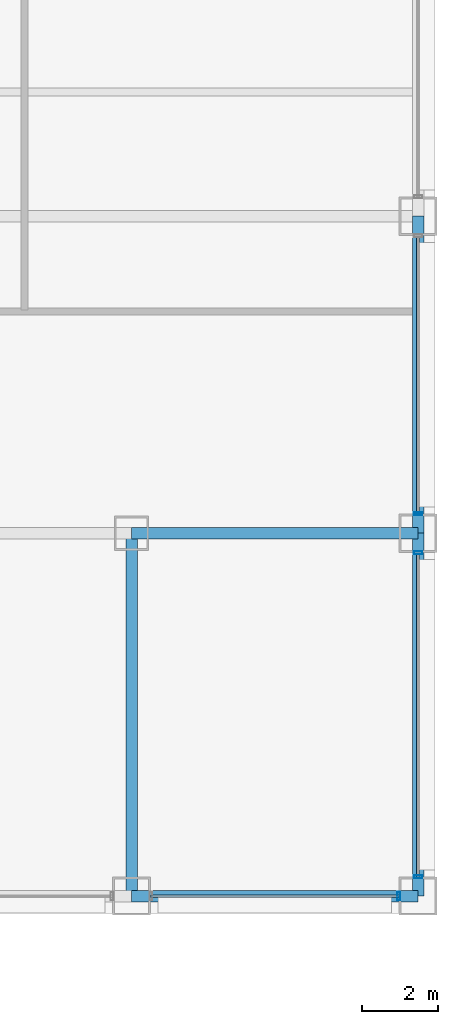
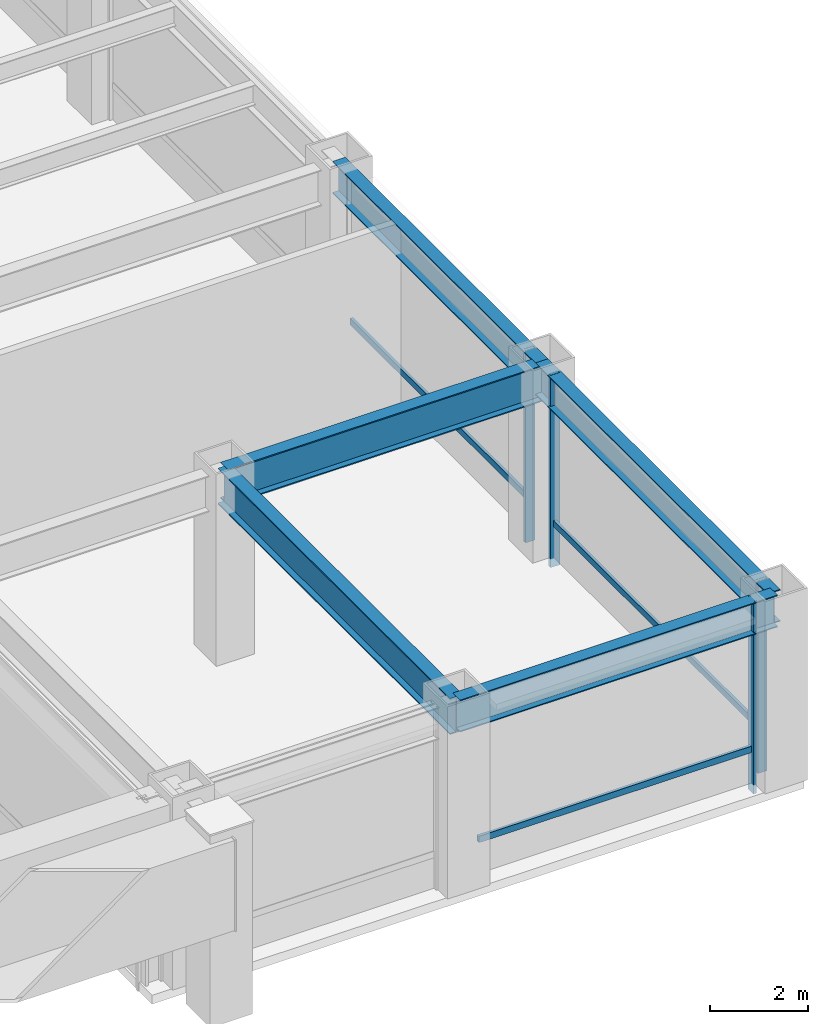
# One storey, part 11 of 37: 7 members, 5 beams, 3 elements without a shape of their own.
"""IFC4 building model written with IfcOpenShell, lengths in metres."""

from ifc_helpers import new_model, si_unit, direction, frame, origin, origin_2d, place, context, subcontext, project, spatial, hollow_rectangle, i_section, extrude, material, layer, layer_set, material_profile, profile_set, type_object, element, aggregate, save


model = new_model("IFC4")

# Units and contexts
model_context = context("Model", 3, precision=1e-05, world=origin(), true_north=direction((0.0, 1.0)))
body_context = subcontext(model_context, "Body", "Model", "MODEL_VIEW")
ifc_project = project(units=[si_unit("LENGTHUNIT", "METRE"), si_unit("AREAUNIT", "SQUARE_METRE"), si_unit("VOLUMEUNIT", "CUBIC_METRE"), si_unit("PLANEANGLEUNIT", "RADIAN"), si_unit("MASSUNIT", "GRAM", prefix="KILO")], contexts=[model_context])

# Site, building, storey
site_placement = place(None, origin())
site = spatial("IfcSite", under=ifc_project, at=site_placement, CompositionType="ELEMENT")
building_placement = place(site_placement, origin())
building = spatial("IfcBuilding", under=site, at=building_placement, Name="Brelmoor Portico Tower", CompositionType="ELEMENT")
storey_placement = place(building_placement, frame((0.0, 0.0, 14.39990234375)))
storey = spatial("IfcBuildingStorey", under=building, at=storey_placement, Name="L03", CompositionType="ELEMENT", Elevation=14.39990234375)

# Beams
ifc_material_1 = material(Name="Steel Q355B", Category="steel")
ifc_material_profile_1 = material_profile(ifc_material_1, i_section(OverallWidth=0.300048828125, OverallDepth=0.89990234375, WebThickness=0.01611328125, FlangeThickness=0.028076171875, at=origin_2d()), Name="HN 900x300x16x28")
ifc_profile_set_1 = profile_set([ifc_material_profile_1], Name="Steel Q355B")
beam_type_1 = type_object("IfcBeamType", Name="BM-PG-900", PredefinedType="BEAM", material=ifc_profile_set_1)
beam_1_placement = place(storey_placement, frame((21.050048828125, -27.550048828125, 4.130126953125), z_axis=(0.0, 1.0, 0.0), x_axis=(-1.0, 0.0, 0.0)))
element("IfcBeam", 1, at=beam_1_placement, inside=storey, type_object=beam_type_1, Name="L03 Primary Floor Girder PG-19", PredefinedType="BEAM", context=body_context, shape_type="SweptSolid", body=[
    extrude(i_section(OverallWidth=0.300048828125, OverallDepth=0.89990234375, WebThickness=0.01611328125, FlangeThickness=0.028076171875, at=origin_2d()), origin(), (0.0, 0.0, 1.0), 9.5),
])
beam_2_placement = place(storey_placement, frame((21.050048828125, -18.050048828125, 4.130126953125), z_axis=(1.0, 0.0, 0.0), x_axis=(0.0, 1.0, 0.0)))
element("IfcBeam", 2, at=beam_2_placement, inside=storey, type_object=beam_type_1, Name="L03 Primary Floor Girder PG-24", PredefinedType="BEAM", context=body_context, shape_type="SweptSolid", body=[
    extrude(i_section(OverallWidth=0.300048828125, OverallDepth=0.89990234375, WebThickness=0.01611328125, FlangeThickness=0.028076171875, at=origin_2d()), origin(), (0.0, 0.0, 1.0), 7.5),
])
ifc_material_profile_2 = material_profile(ifc_material_1, i_section(OverallWidth=0.300048828125, OverallDepth=0.800048828125, WebThickness=0.013916015625, FlangeThickness=0.02587890625, at=origin_2d()), Name="HN 800x300x14x26")
ifc_profile_set_2 = profile_set([ifc_material_profile_2], Name="Steel Q355B")
beam_type_2 = type_object("IfcBeamType", Name="BM-SP-800", PredefinedType="SPANDREL", material=ifc_profile_set_2)
beam_3_placement = place(storey_placement, frame((21.050048828125, -27.550048828125, 4.18017578125), z_axis=(1.0, 0.0, 0.0), x_axis=(0.0, 1.0, 0.0)))
element("IfcBeam", 3, at=beam_3_placement, inside=storey, type_object=beam_type_2, Name="L03 Perimeter Spandrel Beam SP-05", PredefinedType="SPANDREL", context=body_context, shape_type="SweptSolid", body=[
    extrude(i_section(OverallWidth=0.300048828125, OverallDepth=0.800048828125, WebThickness=0.013916015625, FlangeThickness=0.02587890625, at=origin_2d()), origin(), (0.0, 0.0, 1.0), 7.5),
])
beam_4_placement = place(storey_placement, frame((28.550048828125, -27.550048828125, 4.18017578125), z_axis=(0.0, 1.0, 0.0), x_axis=(-1.0, 0.0, 0.0)))
element("IfcBeam", 4, at=beam_4_placement, inside=storey, type_object=beam_type_2, Name="L03 Perimeter Spandrel Beam SP-17", PredefinedType="SPANDREL", context=body_context, shape_type="SweptSolid", body=[
    extrude(i_section(OverallWidth=0.300048828125, OverallDepth=0.800048828125, WebThickness=0.013916015625, FlangeThickness=0.02587890625, at=origin_2d()), origin(), (0.0, 0.0, 1.0), 9.5),
])
beam_5_placement = place(storey_placement, frame((28.550048828125, -18.050048828125, 4.18017578125), z_axis=(0.0, 1.0, 0.0), x_axis=(-1.0, 0.0, 0.0)))
element("IfcBeam", 5, at=beam_5_placement, inside=storey, type_object=beam_type_2, Name="L03 Perimeter Spandrel Beam SP-18", PredefinedType="SPANDREL", context=body_context, shape_type="SweptSolid", body=[
    extrude(i_section(OverallWidth=0.300048828125, OverallDepth=0.800048828125, WebThickness=0.013916015625, FlangeThickness=0.02587890625, at=origin_2d()), origin(), (0.0, 0.0, 1.0), 8.300048828125),
])

# Curtain wall, member
ifc_material_2 = material(Name="Anodised Aluminium Alloy 6063-T6", Category="aluminium")
ifc_layer = layer(ifc_material_2, 0.179931640625)
ifc_layer_set = layer_set([ifc_layer], Name="Anodised Aluminium Alloy 6063-T6")
curtain_wall_type = type_object("IfcCurtainWallType", Name="CW-PODIUM-ARCH", PredefinedType="NOTDEFINED", material=ifc_layer_set)
curtain_wall_1_placement = place(storey_placement, origin())
curtain_wall_1 = element("IfcCurtainWall", 6, at=curtain_wall_1_placement, inside=storey, type_object=curtain_wall_type, Name="L03 Curtain Wall CW-L03-02-3", PredefinedType="NOTDEFINED")
ifc_material_profile_3 = material_profile(ifc_material_2, hollow_rectangle(XDim=0.074951171875, YDim=0.219970703125, WallThickness=0.0048828125, at=origin_2d()), Name="ALU MULLION 75x220")
ifc_profile_set_3 = profile_set([ifc_material_profile_3], Name="Anodised Aluminium Alloy 6063-T6")
member_type_1 = type_object("IfcMemberType", Name="MB-CW-MULL-220", PredefinedType="MULLION", material=ifc_profile_set_3)
member_1_placement = place(storey_placement, frame((28.0400390625, -27.550048828125, -0.219970703125), z_axis=(0.0, 0.0, 1.0), x_axis=(1.0, 0.0, 0.0)))
member_1 = element("IfcMember", 7, at=member_1_placement, type_object=member_type_1, Name="CW-L03-02-3 Mullion 01", PredefinedType="MULLION", context=body_context, shape_type="SweptSolid", body=[
    extrude(hollow_rectangle(XDim=0.074951171875, YDim=0.219970703125, WallThickness=0.0048828125, at=origin_2d()), origin(), (0.0, 0.0, 1.0), 4.800048828125),
])

# Curtain wall, members
curtain_wall_2_placement = place(storey_placement, origin())
curtain_wall_2 = element("IfcCurtainWall", 8, at=curtain_wall_2_placement, inside=storey, type_object=curtain_wall_type, Name="L03 Curtain Wall CW-L03-12-1", PredefinedType="NOTDEFINED")
member_2_placement = place(storey_placement, frame((28.550048828125, -27.0400390625, -0.219970703125), z_axis=(0.0, 0.0, 1.0), x_axis=(0.0, 1.0, 0.0)))
member_2 = element("IfcMember", 9, at=member_2_placement, type_object=member_type_1, Name="CW-L03-12-1 Mullion 00", PredefinedType="MULLION", context=body_context, shape_type="SweptSolid", body=[
    extrude(hollow_rectangle(XDim=0.074951171875, YDim=0.219970703125, WallThickness=0.0048828125, at=origin_2d()), origin(), (0.0, 0.0, 1.0), 4.800048828125),
])
member_3_placement = place(storey_placement, frame((28.550048828125, -18.56005859375, -0.219970703125), z_axis=(0.0, 0.0, 1.0), x_axis=(0.0, 1.0, 0.0)))
member_3 = element("IfcMember", 10, at=member_3_placement, type_object=member_type_1, Name="CW-L03-12-1 Mullion 01", PredefinedType="MULLION", context=body_context, shape_type="SweptSolid", body=[
    extrude(hollow_rectangle(XDim=0.074951171875, YDim=0.219970703125, WallThickness=0.0048828125, at=origin_2d()), origin(), (0.0, 0.0, 1.0), 4.800048828125),
])

# Curtain wall, member
curtain_wall_3_placement = place(storey_placement, origin())
curtain_wall_3 = element("IfcCurtainWall", 11, at=curtain_wall_3_placement, inside=storey, type_object=curtain_wall_type, Name="L03 Curtain Wall CW-L03-12-2", PredefinedType="NOTDEFINED")
member_4_placement = place(storey_placement, frame((28.550048828125, -17.5400390625, -0.219970703125), z_axis=(0.0, 0.0, 1.0), x_axis=(0.0, 1.0, 0.0)))
member_4 = element("IfcMember", 12, at=member_4_placement, type_object=member_type_1, Name="CW-L03-12-2 Mullion 00", PredefinedType="MULLION", context=body_context, shape_type="SweptSolid", body=[
    extrude(hollow_rectangle(XDim=0.074951171875, YDim=0.219970703125, WallThickness=0.0048828125, at=origin_2d()), origin(), (0.0, 0.0, 1.0), 4.800048828125),
])

# Member
ifc_material_profile_4 = material_profile(ifc_material_2, hollow_rectangle(XDim=0.070068359375, YDim=0.159912109375, WallThickness=0.00390625, at=origin_2d()), Name="ALU TRANSOM 70x160")
ifc_profile_set_4 = profile_set([ifc_material_profile_4], Name="Anodised Aluminium Alloy 6063-T6")
member_type_2 = type_object("IfcMemberType", Name="MB-CW-TRAN-160", PredefinedType="USERDEFINED", material=ifc_profile_set_4)
member_5_placement = place(storey_placement, frame((21.56005859375, -27.550048828125, 0.85009765625), z_axis=(1.0, 0.0, 0.0), x_axis=(0.0, 1.0, 0.0)))
member_5 = element("IfcMember", 13, at=member_5_placement, type_object=member_type_2, Name="CW-L03-02-3 Transom 1-00", ObjectType="TRANSOM", PredefinedType="USERDEFINED", context=body_context, shape_type="SweptSolid", body=[
    extrude(hollow_rectangle(XDim=0.070068359375, YDim=0.159912109375, WallThickness=0.00390625, at=origin_2d()), origin(), (0.0, 0.0, 1.0), 6.47998046875),
])

aggregate(curtain_wall_1, [member_1, member_5])

member_6_placement = place(storey_placement, frame((28.550048828125, -27.0400390625, 0.85009765625), z_axis=(0.0, 1.0, 0.0), x_axis=(-1.0, 0.0, 0.0)))
member_6 = element("IfcMember", 14, at=member_6_placement, type_object=member_type_2, Name="CW-L03-12-1 Transom 1-00", ObjectType="TRANSOM", PredefinedType="USERDEFINED", context=body_context, shape_type="SweptSolid", body=[
    extrude(hollow_rectangle(XDim=0.070068359375, YDim=0.159912109375, WallThickness=0.00390625, at=origin_2d()), origin(), (0.0, 0.0, 1.0), 8.47998046875),
])

aggregate(curtain_wall_2, [member_2, member_3, member_6])

member_7_placement = place(storey_placement, frame((28.550048828125, -17.5400390625, 0.85009765625), z_axis=(0.0, 1.0, 0.0), x_axis=(-1.0, 0.0, 0.0)))
member_7 = element("IfcMember", 15, at=member_7_placement, type_object=member_type_2, Name="CW-L03-12-2 Transom 1-00", ObjectType="TRANSOM", PredefinedType="USERDEFINED", context=body_context, shape_type="SweptSolid", body=[
    extrude(hollow_rectangle(XDim=0.070068359375, YDim=0.159912109375, WallThickness=0.00390625, at=origin_2d()), origin(), (0.0, 0.0, 1.0), 7.280029296875),
])

aggregate(curtain_wall_3, [member_4, member_7])

save(model, "model.ifc")
